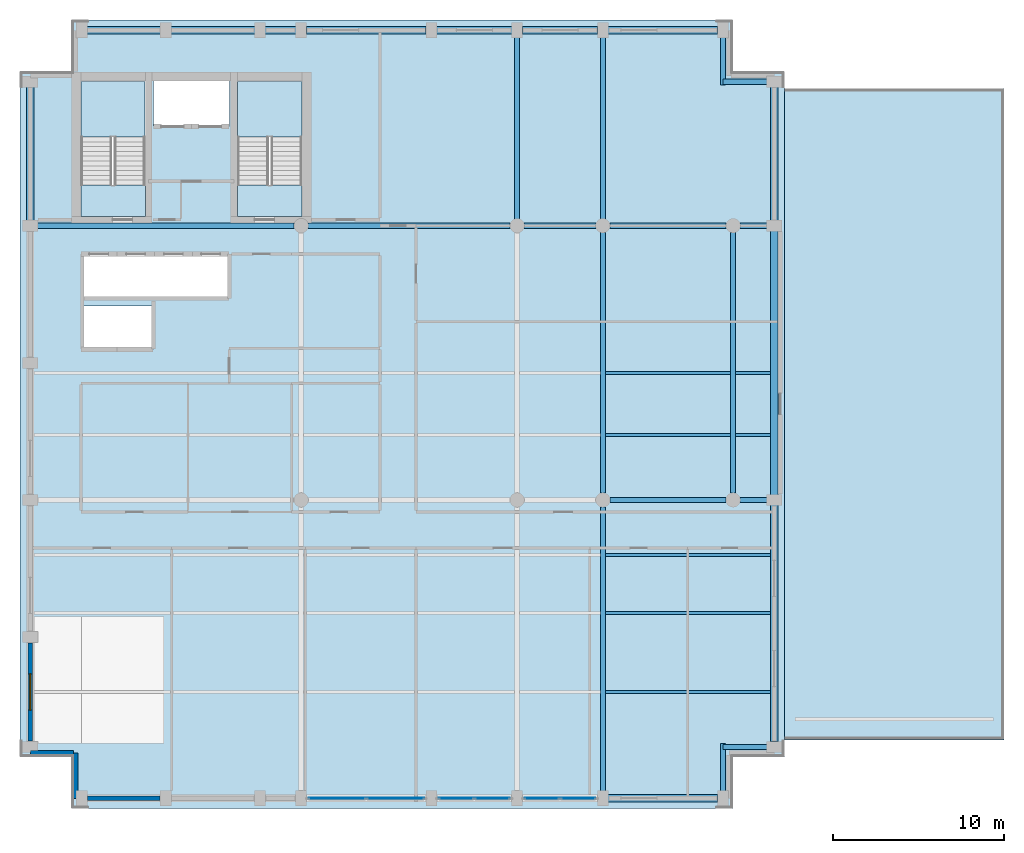
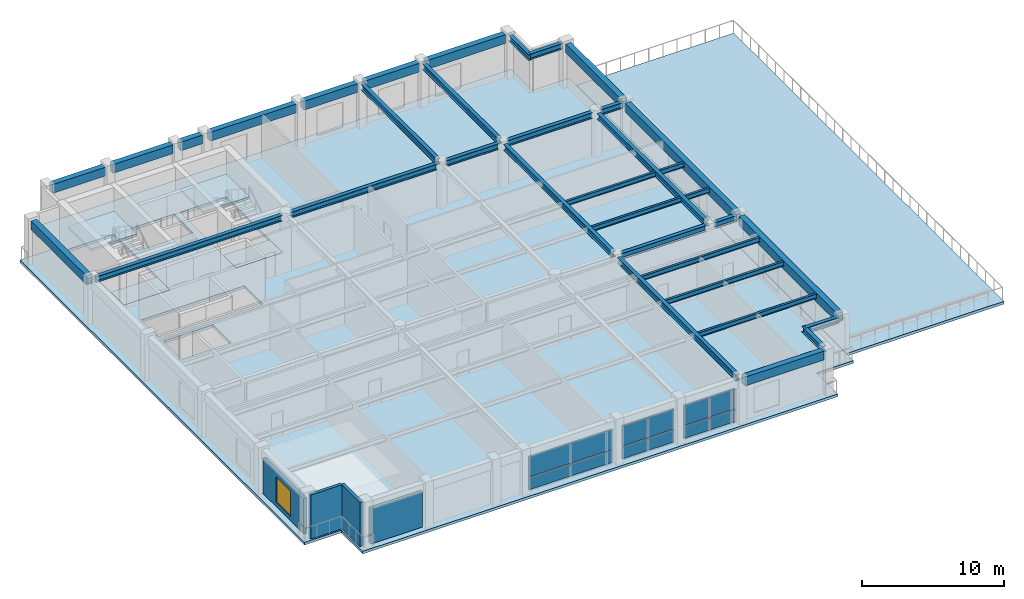
# One storey, part 3 of 9: 35 beams, 12 plates, 6 slabs, 4 walls, 1 window, 1 opening, 5 elements without a shape of their own.
"""IFC4 building model written with IfcOpenShell, lengths in metres."""

from ifc_helpers import new_model, si_unit, direction, frame, frame_2d, origin, origin_2d, place, context, subcontext, project, spatial, polyline, rectangle, i_section, outline, extrude, material, layer, layer_set, material_profile, profile_set, type_object, element, fill, aggregate, save


model = new_model("IFC4")

# Units and contexts
model_context = context("Model", 3, precision=1e-05, world=origin(), true_north=direction((0.0, 1.0)))
body_context = subcontext(model_context, "Body", "Model", "MODEL_VIEW")
ifc_project = project(units=[si_unit("LENGTHUNIT", "METRE"), si_unit("AREAUNIT", "SQUARE_METRE"), si_unit("VOLUMEUNIT", "CUBIC_METRE"), si_unit("PLANEANGLEUNIT", "RADIAN"), si_unit("MASSUNIT", "GRAM", prefix="KILO")], contexts=[model_context])

# Site, building, storey
site_placement = place(None, origin())
site = spatial("IfcSite", under=ifc_project, at=site_placement, CompositionType="ELEMENT")
building_placement = place(site_placement, origin())
building = spatial("IfcBuilding", under=site, at=building_placement, Name="Sulina Concourse Tower", CompositionType="ELEMENT")
storey_placement = place(building_placement, frame((0.0, 0.0, 289.0)))
storey = spatial("IfcBuildingStorey", under=building, at=storey_placement, Name="L70", CompositionType="ELEMENT", Elevation=289.0)

# Beams
ifc_material_1 = material(Name="Steel S355", Category="steel")
ifc_material_profile_1 = material_profile(ifc_material_1, i_section(OverallWidth=0.300048828125, OverallDepth=0.5, WebThickness=0.014404296875, FlangeThickness=0.028076171875, at=origin_2d()), Name="HE 500 B")
ifc_profile_set_1 = profile_set([ifc_material_profile_1], Name="Steel S355")
beam_type_1 = type_object("IfcBeamType", Name="Crown & Canopy Primary Girder HE500B", PredefinedType="BEAM", material=ifc_profile_set_1)
for number, where, z_axis, x_axis, name in (
    (1, (41.0, 3.60009765625, 3.52490234375), (1.0, 0.0, 0.0), (0.0, 1.0, 0.0), "TIE-SE-L70"),
    (2, (41.0, 42.39990234375, 3.52490234375), (1.0, 0.0, 0.0), (0.0, 1.0, 0.0), "TIE-NE-L70"),
):
    element("IfcBeam", number, at=place(storey_placement, frame(where, z_axis=z_axis, x_axis=x_axis)), inside=storey, type_object=beam_type_1, Name=name, PredefinedType="BEAM", context=body_context, shape_type="SweptSolid", body=[
        extrude(i_section(OverallWidth=0.300048828125, OverallDepth=0.5, WebThickness=0.014404296875, FlangeThickness=0.028076171875, at=origin_2d()), origin(), (0.0, 0.0, 1.0), 2.695068359375),
    ])
for number, where, z_axis, x_axis, name in (
    (3, (41.0, 0.905029296875, 3.52490234375), (0.0, 1.0, 0.0), (-1.0, 0.0, 0.0), "TIE-SES-L70"),
    (4, (41.0, 42.199951171875, 3.52490234375), (0.0, 1.0, 0.0), (-1.0, 0.0, 0.0), "TIE-NEN-L70"),
):
    element("IfcBeam", number, at=place(storey_placement, frame(where, z_axis=z_axis, x_axis=x_axis)), inside=storey, type_object=beam_type_1, Name=name, PredefinedType="BEAM", context=body_context, shape_type="SweptSolid", body=[
        extrude(i_section(OverallWidth=0.300048828125, OverallDepth=0.5, WebThickness=0.014404296875, FlangeThickness=0.028076171875, at=origin_2d()), origin(), (0.0, 0.0, 1.0), 2.89501953125),
    ])
beam_1_placement = place(storey_placement, frame((34.405029296875, 18.0, 3.52490234375), z_axis=(1.0, 0.0, 0.0), x_axis=(0.0, 1.0, 0.0)))
element("IfcBeam", 5, at=beam_1_placement, inside=storey, type_object=beam_type_1, Name="FG-EW4-L70", PredefinedType="BEAM", context=body_context, shape_type="SweptSolid", body=[
    extrude(i_section(OverallWidth=0.300048828125, OverallDepth=0.5, WebThickness=0.014404296875, FlangeThickness=0.028076171875, at=origin_2d()), origin(), (0.0, 0.0, 1.0), 6.7900390625),
])
beam_2_placement = place(storey_placement, frame((42.0048828125, 18.0, 3.52490234375), z_axis=(1.0, 0.0, 0.0), x_axis=(0.0, 1.0, 0.0)))
element("IfcBeam", 6, at=beam_2_placement, inside=storey, type_object=beam_type_1, Name="FG-EW5-L70", PredefinedType="BEAM", context=body_context, shape_type="SweptSolid", body=[
    extrude(i_section(OverallWidth=0.300048828125, OverallDepth=0.5, WebThickness=0.014404296875, FlangeThickness=0.028076171875, at=origin_2d()), origin(), (0.0, 0.0, 1.0), 1.690185546875),
])
beam_3_placement = place(storey_placement, frame((0.905029296875, 34.0, 3.52490234375), z_axis=(1.0, 0.0, 0.0), x_axis=(0.0, 1.0, 0.0)))
element("IfcBeam", 7, at=beam_3_placement, inside=storey, type_object=beam_type_1, Name="FG-EWN1-L70", PredefinedType="BEAM", context=body_context, shape_type="SweptSolid", body=[
    extrude(i_section(OverallWidth=0.300048828125, OverallDepth=0.5, WebThickness=0.014404296875, FlangeThickness=0.028076171875, at=origin_2d()), origin(), (0.0, 0.0, 1.0), 15.090087890625),
])
beam_4_placement = place(storey_placement, frame((16.804931640625, 34.0, 3.52490234375), z_axis=(1.0, 0.0, 0.0), x_axis=(0.0, 1.0, 0.0)))
element("IfcBeam", 8, at=beam_4_placement, inside=storey, type_object=beam_type_1, Name="FG-EWN2-L70", PredefinedType="BEAM", context=body_context, shape_type="SweptSolid", body=[
    extrude(i_section(OverallWidth=0.300048828125, OverallDepth=0.5, WebThickness=0.014404296875, FlangeThickness=0.028076171875, at=origin_2d()), origin(), (0.0, 0.0, 1.0), 11.7900390625),
])
beam_5_placement = place(storey_placement, frame((29.405029296875, 34.0, 3.52490234375), z_axis=(1.0, 0.0, 0.0), x_axis=(0.0, 1.0, 0.0)))
element("IfcBeam", 9, at=beam_5_placement, inside=storey, type_object=beam_type_1, Name="FG-EWN3-L70", PredefinedType="BEAM", context=body_context, shape_type="SweptSolid", body=[
    extrude(i_section(OverallWidth=0.300048828125, OverallDepth=0.5, WebThickness=0.014404296875, FlangeThickness=0.028076171875, at=origin_2d()), origin(), (0.0, 0.0, 1.0), 4.18994140625),
])
beam_6_placement = place(storey_placement, frame((34.405029296875, 34.0, 3.52490234375), z_axis=(1.0, 0.0, 0.0), x_axis=(0.0, 1.0, 0.0)))
element("IfcBeam", 10, at=beam_6_placement, inside=storey, type_object=beam_type_1, Name="FG-EWN4-L70", PredefinedType="BEAM", context=body_context, shape_type="SweptSolid", body=[
    extrude(i_section(OverallWidth=0.300048828125, OverallDepth=0.5, WebThickness=0.014404296875, FlangeThickness=0.028076171875, at=origin_2d()), origin(), (0.0, 0.0, 1.0), 6.7900390625),
])
beam_7_placement = place(storey_placement, frame((42.0048828125, 34.0, 3.52490234375), z_axis=(1.0, 0.0, 0.0), x_axis=(0.0, 1.0, 0.0)))
element("IfcBeam", 11, at=beam_7_placement, inside=storey, type_object=beam_type_1, Name="FG-EWN5-L70", PredefinedType="BEAM", context=body_context, shape_type="SweptSolid", body=[
    extrude(i_section(OverallWidth=0.300048828125, OverallDepth=0.5, WebThickness=0.014404296875, FlangeThickness=0.028076171875, at=origin_2d()), origin(), (0.0, 0.0, 1.0), 1.690185546875),
])
beam_8_placement = place(storey_placement, frame((29.0, 34.405029296875, 3.52490234375), z_axis=(0.0, 1.0, 0.0), x_axis=(-1.0, 0.0, 0.0)))
element("IfcBeam", 12, at=beam_8_placement, inside=storey, type_object=beam_type_1, Name="FG-NSC-29-L70", PredefinedType="BEAM", context=body_context, shape_type="SweptSolid", body=[
    extrude(i_section(OverallWidth=0.300048828125, OverallDepth=0.5, WebThickness=0.014404296875, FlangeThickness=0.028076171875, at=origin_2d()), origin(), (0.0, 0.0, 1.0), 10.68994140625),
])
beam_9_placement = place(storey_placement, frame((34.0, 0.905029296875, 3.52490234375), z_axis=(0.0, 1.0, 0.0), x_axis=(-1.0, 0.0, 0.0)))
element("IfcBeam", 13, at=beam_9_placement, inside=storey, type_object=beam_type_1, Name="FG-NSA-34-L70", PredefinedType="BEAM", context=body_context, shape_type="SweptSolid", body=[
    extrude(i_section(OverallWidth=0.300048828125, OverallDepth=0.5, WebThickness=0.014404296875, FlangeThickness=0.028076171875, at=origin_2d()), origin(), (0.0, 0.0, 1.0), 16.68994140625),
])
beam_10_placement = place(storey_placement, frame((34.0, 18.405029296875, 3.52490234375), z_axis=(0.0, 1.0, 0.0), x_axis=(-1.0, 0.0, 0.0)))
element("IfcBeam", 14, at=beam_10_placement, inside=storey, type_object=beam_type_1, Name="FG-NSB-34-L70", PredefinedType="BEAM", context=body_context, shape_type="SweptSolid", body=[
    extrude(i_section(OverallWidth=0.300048828125, OverallDepth=0.5, WebThickness=0.014404296875, FlangeThickness=0.028076171875, at=origin_2d()), origin(), (0.0, 0.0, 1.0), 15.18994140625),
])
beam_11_placement = place(storey_placement, frame((34.0, 34.405029296875, 3.52490234375), z_axis=(0.0, 1.0, 0.0), x_axis=(-1.0, 0.0, 0.0)))
element("IfcBeam", 15, at=beam_11_placement, inside=storey, type_object=beam_type_1, Name="FG-NSC-34-L70", PredefinedType="BEAM", context=body_context, shape_type="SweptSolid", body=[
    extrude(i_section(OverallWidth=0.300048828125, OverallDepth=0.5, WebThickness=0.014404296875, FlangeThickness=0.028076171875, at=origin_2d()), origin(), (0.0, 0.0, 1.0), 10.68994140625),
])
beam_12_placement = place(storey_placement, frame((41.60009765625, 18.405029296875, 3.52490234375), z_axis=(0.0, 1.0, 0.0), x_axis=(-1.0, 0.0, 0.0)))
element("IfcBeam", 16, at=beam_12_placement, inside=storey, type_object=beam_type_1, Name="FG-NSB-41-L70", PredefinedType="BEAM", context=body_context, shape_type="SweptSolid", body=[
    extrude(i_section(OverallWidth=0.300048828125, OverallDepth=0.5, WebThickness=0.014404296875, FlangeThickness=0.028076171875, at=origin_2d()), origin(), (0.0, 0.0, 1.0), 15.18994140625),
])
ifc_material_2 = material(Name="Steel S355", Category="steel")
ifc_material_profile_2 = material_profile(ifc_material_2, i_section(OverallWidth=0.179931640625, OverallDepth=0.39990234375, WebThickness=0.008544921875, FlangeThickness=0.013427734375, at=origin_2d()), Name="IPE 400")
ifc_profile_set_2 = profile_set([ifc_material_profile_2], Name="Steel S355")
beam_type_2 = type_object("IfcBeamType", Name="Crown & Terrace Joist IPE400", PredefinedType="JOIST", material=ifc_profile_set_2)
for number, where, z_axis, x_axis, name in (
    (17, (34.14990234375, 6.800048828125, 3.574951171875), (1.0, 0.0, 0.0), (0.0, 1.0, 0.0), "FJ-J06-4-L70"),
    (18, (34.14990234375, 11.39990234375, 3.574951171875), (1.0, 0.0, 0.0), (0.0, 1.0, 0.0), "FJ-J11-4-L70"),
    (19, (34.14990234375, 14.800048828125, 3.574951171875), (1.0, 0.0, 0.0), (0.0, 1.0, 0.0), "FJ-J15-4-L70"),
):
    element("IfcBeam", number, at=place(storey_placement, frame(where, z_axis=z_axis, x_axis=x_axis)), inside=storey, type_object=beam_type_2, Name=name, PredefinedType="JOIST", context=body_context, shape_type="SweptSolid", body=[
        extrude(i_section(OverallWidth=0.179931640625, OverallDepth=0.39990234375, WebThickness=0.008544921875, FlangeThickness=0.013427734375, at=origin_2d()), origin(), (0.0, 0.0, 1.0), 9.625),
    ])
beam_13_placement = place(storey_placement, frame((34.14990234375, 21.800048828125, 3.574951171875), z_axis=(1.0, 0.0, 0.0), x_axis=(0.0, 1.0, 0.0)))
element("IfcBeam", 20, at=beam_13_placement, inside=storey, type_object=beam_type_2, Name="FJ-J22-4-L70", PredefinedType="JOIST", context=body_context, shape_type="SweptSolid", body=[
    extrude(i_section(OverallWidth=0.179931640625, OverallDepth=0.39990234375, WebThickness=0.008544921875, FlangeThickness=0.013427734375, at=origin_2d()), origin(), (0.0, 0.0, 1.0), 7.300048828125),
])
beam_14_placement = place(storey_placement, frame((41.75, 21.800048828125, 3.574951171875), z_axis=(1.0, 0.0, 0.0), x_axis=(0.0, 1.0, 0.0)))
element("IfcBeam", 21, at=beam_14_placement, inside=storey, type_object=beam_type_2, Name="FJ-J22-5-L70", PredefinedType="JOIST", context=body_context, shape_type="SweptSolid", body=[
    extrude(i_section(OverallWidth=0.179931640625, OverallDepth=0.39990234375, WebThickness=0.008544921875, FlangeThickness=0.013427734375, at=origin_2d()), origin(), (0.0, 0.0, 1.0), 2.02490234375),
])
beam_15_placement = place(storey_placement, frame((34.14990234375, 25.39990234375, 3.574951171875), z_axis=(1.0, 0.0, 0.0), x_axis=(0.0, 1.0, 0.0)))
element("IfcBeam", 22, at=beam_15_placement, inside=storey, type_object=beam_type_2, Name="FJ-J25-4-L70", PredefinedType="JOIST", context=body_context, shape_type="SweptSolid", body=[
    extrude(i_section(OverallWidth=0.179931640625, OverallDepth=0.39990234375, WebThickness=0.008544921875, FlangeThickness=0.013427734375, at=origin_2d()), origin(), (0.0, 0.0, 1.0), 7.300048828125),
])
beam_16_placement = place(storey_placement, frame((41.75, 25.39990234375, 3.574951171875), z_axis=(1.0, 0.0, 0.0), x_axis=(0.0, 1.0, 0.0)))
element("IfcBeam", 23, at=beam_16_placement, inside=storey, type_object=beam_type_2, Name="FJ-J25-5-L70", PredefinedType="JOIST", context=body_context, shape_type="SweptSolid", body=[
    extrude(i_section(OverallWidth=0.179931640625, OverallDepth=0.39990234375, WebThickness=0.008544921875, FlangeThickness=0.013427734375, at=origin_2d()), origin(), (0.0, 0.0, 1.0), 2.02490234375),
])
ifc_material_3 = material(Name="Precast concrete C50/60", Category="concrete")
ifc_material_profile_3 = material_profile(ifc_material_3, rectangle(XDim=0.449951171875, YDim=0.75, at=origin_2d()), Name="RC 450x750")
ifc_profile_set_3 = profile_set([ifc_material_profile_3], Name="Precast concrete C50/60")
beam_type_3 = type_object("IfcBeamType", Name="Upper Precast Spandrel Edge Beam 450x750", PredefinedType="BEAM", material=ifc_profile_set_3)
beam_17_placement = place(storey_placement, frame((34.304931640625, 0.60009765625, 3.39990234375), z_axis=(1.0, 0.0, 0.0), x_axis=(0.0, 1.0, 0.0)))
element("IfcBeam", 24, at=beam_17_placement, inside=storey, type_object=beam_type_3, Name="SP-S7-L70", PredefinedType="BEAM", context=body_context, shape_type="SweptSolid", body=[
    extrude(rectangle(XDim=0.449951171875, YDim=0.75, at=origin_2d()), origin(), (0.0, 0.0, 1.0), 6.39013671875),
])
beam_18_placement = place(storey_placement, frame((3.905029296875, 45.39990234375, 3.39990234375), z_axis=(1.0, 0.0, 0.0), x_axis=(0.0, 1.0, 0.0)))
element("IfcBeam", 25, at=beam_18_placement, inside=storey, type_object=beam_type_3, Name="SP-N1-L70", PredefinedType="BEAM", context=body_context, shape_type="SweptSolid", body=[
    extrude(rectangle(XDim=0.449951171875, YDim=0.75, at=origin_2d()), origin(), (0.0, 0.0, 1.0), 4.2900390625),
])
beam_19_placement = place(storey_placement, frame((8.804931640625, 45.39990234375, 3.39990234375), z_axis=(1.0, 0.0, 0.0), x_axis=(0.0, 1.0, 0.0)))
element("IfcBeam", 26, at=beam_19_placement, inside=storey, type_object=beam_type_3, Name="SP-N2-L70", PredefinedType="BEAM", context=body_context, shape_type="SweptSolid", body=[
    extrude(rectangle(XDim=0.449951171875, YDim=0.75, at=origin_2d()), origin(), (0.0, 0.0, 1.0), 4.89013671875),
])
beam_20_placement = place(storey_placement, frame((14.304931640625, 45.39990234375, 3.39990234375), z_axis=(1.0, 0.0, 0.0), x_axis=(0.0, 1.0, 0.0)))
element("IfcBeam", 27, at=beam_20_placement, inside=storey, type_object=beam_type_3, Name="SP-N3-L70", PredefinedType="BEAM", context=body_context, shape_type="SweptSolid", body=[
    extrude(rectangle(XDim=0.449951171875, YDim=0.75, at=origin_2d()), origin(), (0.0, 0.0, 1.0), 1.7900390625),
])
beam_21_placement = place(storey_placement, frame((16.705078125, 45.39990234375, 3.39990234375), z_axis=(1.0, 0.0, 0.0), x_axis=(0.0, 1.0, 0.0)))
element("IfcBeam", 28, at=beam_21_placement, inside=storey, type_object=beam_type_3, Name="SP-N4-L70", PredefinedType="BEAM", context=body_context, shape_type="SweptSolid", body=[
    extrude(rectangle(XDim=0.449951171875, YDim=0.75, at=origin_2d()), origin(), (0.0, 0.0, 1.0), 6.989990234375),
])
for number, where, z_axis, x_axis, name in (
    (29, (24.304931640625, 45.39990234375, 3.39990234375), (1.0, 0.0, 0.0), (0.0, 1.0, 0.0), "SP-N5-L70"),
    (30, (29.304931640625, 45.39990234375, 3.39990234375), (1.0, 0.0, 0.0), (0.0, 1.0, 0.0), "SP-N6-L70"),
):
    element("IfcBeam", number, at=place(storey_placement, frame(where, z_axis=z_axis, x_axis=x_axis)), inside=storey, type_object=beam_type_3, Name=name, PredefinedType="BEAM", context=body_context, shape_type="SweptSolid", body=[
        extrude(rectangle(XDim=0.449951171875, YDim=0.75, at=origin_2d()), origin(), (0.0, 0.0, 1.0), 4.39013671875),
    ])
beam_22_placement = place(storey_placement, frame((34.304931640625, 45.39990234375, 3.39990234375), z_axis=(1.0, 0.0, 0.0), x_axis=(0.0, 1.0, 0.0)))
element("IfcBeam", 31, at=beam_22_placement, inside=storey, type_object=beam_type_3, Name="SP-N7-L70", PredefinedType="BEAM", context=body_context, shape_type="SweptSolid", body=[
    extrude(rectangle(XDim=0.449951171875, YDim=0.75, at=origin_2d()), origin(), (0.0, 0.0, 1.0), 6.39013671875),
])
beam_23_placement = place(storey_placement, frame((0.60009765625, 34.304931640625, 3.39990234375), z_axis=(0.0, 1.0, 0.0), x_axis=(-1.0, 0.0, 0.0)))
element("IfcBeam", 32, at=beam_23_placement, inside=storey, type_object=beam_type_3, Name="SP-W5-L70", PredefinedType="BEAM", context=body_context, shape_type="SweptSolid", body=[
    extrude(rectangle(XDim=0.449951171875, YDim=0.75, at=origin_2d()), origin(), (0.0, 0.0, 1.0), 7.7900390625),
])
beam_24_placement = place(storey_placement, frame((44.0, 3.905029296875, 3.39990234375), z_axis=(0.0, 1.0, 0.0), x_axis=(-1.0, 0.0, 0.0)))
element("IfcBeam", 33, at=beam_24_placement, inside=storey, type_object=beam_type_3, Name="SP-E1-L70", PredefinedType="BEAM", context=body_context, shape_type="SweptSolid", body=[
    extrude(rectangle(XDim=0.449951171875, YDim=0.75, at=origin_2d()), origin(), (0.0, 0.0, 1.0), 13.7900390625),
])
beam_25_placement = place(storey_placement, frame((44.0, 18.304931640625, 3.39990234375), z_axis=(0.0, 1.0, 0.0), x_axis=(-1.0, 0.0, 0.0)))
element("IfcBeam", 34, at=beam_25_placement, inside=storey, type_object=beam_type_3, Name="SP-E2-L70", PredefinedType="BEAM", context=body_context, shape_type="SweptSolid", body=[
    extrude(rectangle(XDim=0.449951171875, YDim=0.75, at=origin_2d()), origin(), (0.0, 0.0, 1.0), 15.39013671875),
])
beam_26_placement = place(storey_placement, frame((44.0, 34.304931640625, 3.39990234375), z_axis=(0.0, 1.0, 0.0), x_axis=(-1.0, 0.0, 0.0)))
element("IfcBeam", 35, at=beam_26_placement, inside=storey, type_object=beam_type_3, Name="SP-E3-L70", PredefinedType="BEAM", context=body_context, shape_type="SweptSolid", body=[
    extrude(rectangle(XDim=0.449951171875, YDim=0.75, at=origin_2d()), origin(), (0.0, 0.0, 1.0), 7.7900390625),
])

# Slabs
ifc_material_4 = material(Name="Concrete C50/60", Category="concrete")
ifc_layer_1 = layer(ifc_material_4, 0.22509765625)
ifc_layer_set_1 = layer_set([ifc_layer_1], Name="Concrete C50/60")
slab_type_1 = type_object("IfcSlabType", Name="Crown & Observation Floor Slab 225mm", PredefinedType="FLOOR", material=ifc_layer_set_1)
slab_1_placement = place(storey_placement, frame((0.0, 0.0, -0.22509765625)))
element("IfcSlab", 36, at=slab_1_placement, inside=storey, type_object=slab_type_1, Name="L70 structural floor slab", PredefinedType="FLOOR", context=body_context, shape_type="SweptSolid", body=[
    extrude(outline(polyline([(3.0, 0.0), (41.60009765625, 0.0), (41.60009765625, 3.0), (44.60009765625, 3.0), (44.60009765625, 43.0), (41.60009765625, 43.0), (41.60009765625, 46.0), (3.0, 46.0), (3.0, 43.0), (0.0, 43.0), (0.0, 3.0), (3.0, 3.0), (3.0, 0.0)]), holes=[polyline([(7.31005859375, 34.550048828125), (7.31005859375, 42.429931640625), (3.550048828125, 42.429931640625), (3.550048828125, 34.550048828125), (7.31005859375, 34.550048828125)]), polyline([(16.449951171875, 34.550048828125), (16.449951171875, 42.429931640625), (12.68994140625, 42.429931640625), (12.68994140625, 34.550048828125), (16.449951171875, 34.550048828125)]), polyline([(7.780029296875, 39.830078125), (12.219970703125, 39.830078125), (12.219970703125, 42.449951171875), (7.780029296875, 42.449951171875), (7.780029296875, 39.830078125)]), polyline([(3.739990234375, 26.780029296875), (7.77001953125, 26.780029296875), (7.77001953125, 29.320068359375), (3.739990234375, 29.320068359375), (3.739990234375, 26.780029296875)]), polyline([(3.739990234375, 29.780029296875), (12.10009765625, 29.780029296875), (12.10009765625, 32.3701171875), (3.739990234375, 32.3701171875), (3.739990234375, 29.780029296875)])]), origin(), (0.0, 0.0, 1.0), 0.22509765625),
])
ifc_material_5 = material(Name="Precast concrete C50/60", Category="concrete")
ifc_layer_2 = layer(ifc_material_5, 0.235107421875)
ifc_layer_set_2 = layer_set([ifc_layer_2], Name="Precast concrete C50/60")
slab_type_2 = type_object("IfcSlabType", Name="Crown Stepped Terrace & Pool Deck Slab 235mm", PredefinedType="FLOOR", material=ifc_layer_set_2)
slab_2_placement = place(storey_placement, frame((0.0, 0.0, -0.235107421875)))
element("IfcSlab", 37, at=slab_2_placement, inside=storey, type_object=slab_type_2, Name="L70 outdoor terrace slab TER-CR1", PredefinedType="FLOOR", context=body_context, shape_type="SweptSolid", body=[
    extrude(outline(polyline([(44.60009765625, 4.0), (57.39990234375, 4.0), (57.39990234375, 42.0), (44.60009765625, 42.0), (44.60009765625, 4.0)])), origin(), (0.0, 0.0, 1.0), 0.235107421875),
])
ifc_material_6 = material(Name="Concrete C50/60", Category="concrete")
ifc_layer_3 = layer(ifc_material_6, 0.199951171875)
ifc_layer_set_3 = layer_set([ifc_layer_3], Name="Concrete C50/60")
slab_type_3 = type_object("IfcSlabType", Name="Primary Core Stair Landing Slab 200mm", PredefinedType="LANDING", material=ifc_layer_set_3)
slab_3_placement = place(storey_placement, frame((0.0, 0.0, -0.199951171875)))
element("IfcSlab", 38, at=slab_3_placement, inside=storey, type_object=slab_type_3, Name="L70 ST-1 floor landing slab", PredefinedType="LANDING", context=body_context, shape_type="SweptSolid", body=[
    extrude(outline(polyline([(7.31005859375, 34.550048828125), (7.31005859375, 36.375), (3.550048828125, 36.375), (3.550048828125, 34.550048828125), (7.31005859375, 34.550048828125)])), origin(), (0.0, 0.0, 1.0), 0.199951171875),
])
slab_4_placement = place(storey_placement, frame((0.0, 0.0, -0.199951171875)))
element("IfcSlab", 39, at=slab_4_placement, inside=storey, type_object=slab_type_3, Name="L70 ST-2 floor landing slab", PredefinedType="LANDING", context=body_context, shape_type="SweptSolid", body=[
    extrude(outline(polyline([(16.449951171875, 34.550048828125), (16.449951171875, 36.375), (12.68994140625, 36.375), (12.68994140625, 34.550048828125), (16.449951171875, 34.550048828125)])), origin(), (0.0, 0.0, 1.0), 0.199951171875),
])

# Stair, slab
ifc_material_7 = material(Name="Concrete C50/60", Category="concrete")
stair_type = type_object("IfcStairType", Name="Primary Core Dog-Leg Exit Stair 1800mm", PredefinedType="HALF_TURN_STAIR", material=ifc_material_7)
stair_1_placement = place(storey_placement, origin())
stair_1 = element("IfcStair", 40, at=stair_1_placement, inside=storey, type_object=stair_type, Name="L70 ST-1", PredefinedType="HALF_TURN_STAIR")
slab_5_placement = place(storey_placement, frame((0.0, 0.0, 1.800048828125)))
slab_5 = element("IfcSlab", 41, at=slab_5_placement, type_object=slab_type_3, Name="ST-1 landing 1", PredefinedType="LANDING", context=body_context, shape_type="SweptSolid", body=[
    extrude(outline(polyline([(7.304931640625, 39.175048828125), (7.304931640625, 42.425048828125), (3.554931640625, 42.425048828125), (3.554931640625, 39.175048828125), (7.304931640625, 39.175048828125)])), origin(), (0.0, 0.0, 1.0), 0.199951171875),
])
aggregate(stair_1, [slab_5])

stair_2_placement = place(storey_placement, origin())
stair_2 = element("IfcStair", 42, at=stair_2_placement, inside=storey, type_object=stair_type, Name="L70 ST-2", PredefinedType="HALF_TURN_STAIR")
slab_6_placement = place(storey_placement, frame((0.0, 0.0, 1.800048828125)))
slab_6 = element("IfcSlab", 43, at=slab_6_placement, type_object=slab_type_3, Name="ST-2 landing 1", PredefinedType="LANDING", context=body_context, shape_type="SweptSolid", body=[
    extrude(outline(polyline([(16.445068359375, 39.175048828125), (16.445068359375, 42.425048828125), (12.695068359375, 42.425048828125), (12.695068359375, 39.175048828125), (16.445068359375, 39.175048828125)])), origin(), (0.0, 0.0, 1.0), 0.199951171875),
])
aggregate(stair_2, [slab_6])

# Curtain wall, plates
ifc_material_8 = material(Name="Anodised bronze aluminium", Category="aluminium")
ifc_layer_4 = layer(ifc_material_8, 0.27001953125)
ifc_layer_set_4 = layer_set([ifc_layer_4], Name="Anodised bronze aluminium")
curtain_wall_type = type_object("IfcCurtainWallType", Name="Stepped Crown Observation Curtain Wall System", PredefinedType="NOTDEFINED", material=ifc_layer_set_4)
curtain_wall_1_placement = place(storey_placement, origin())
curtain_wall_1 = element("IfcCurtainWall", 44, at=curtain_wall_1_placement, inside=storey, type_object=curtain_wall_type, Name="L70 glazed curtain wall S4", PredefinedType="NOTDEFINED")
ifc_material_9 = material(Name="Ultra-clear observation triple glazing", Category="glass")
ifc_layer_5 = layer(ifc_material_9, 0.0439453125)
ifc_layer_set_5 = layer_set([ifc_layer_5], Name="Ultra-clear observation triple glazing")
plate_type = type_object("IfcPlateType", Name="Stepped Crown Observation Curtain Wall System Glazed Panel 44mm", PredefinedType="CURTAIN_PANEL", material=ifc_layer_set_5)
plate_1_placement = place(storey_placement, frame((21.90625, 0.60009765625, 0.0849609375), z_axis=(0.0, 0.0, 1.0), x_axis=(-1.0, 0.0, 0.0)))
plate_1 = element("IfcPlate", 45, at=plate_1_placement, type_object=plate_type, Name="CW-06 panel 1.1", PredefinedType="CURTAIN_PANEL", context=body_context, shape_type="SweptSolid", body=[
    extrude(rectangle(XDim=3.327392578125, YDim=0.0439453125, at=origin_2d()), origin(), (0.0, 0.0, 1.0), 1.02197265625),
])
plate_2_placement = place(storey_placement, frame((21.90625, 0.60009765625, 1.19189453125), z_axis=(0.0, 0.0, 1.0), x_axis=(-1.0, 0.0, 0.0)))
plate_2 = element("IfcPlate", 46, at=plate_2_placement, type_object=plate_type, Name="CW-06 panel 1.2", PredefinedType="CURTAIN_PANEL", context=body_context, shape_type="SweptSolid", body=[
    extrude(rectangle(XDim=3.327392578125, YDim=0.0439453125, at=origin_2d()), origin(), (0.0, 0.0, 1.0), 1.748046875),
])
plate_3_placement = place(storey_placement, frame((18.49365234375, 0.60009765625, 0.0849609375), z_axis=(0.0, 0.0, 1.0), x_axis=(-1.0, 0.0, 0.0)))
plate_3 = element("IfcPlate", 47, at=plate_3_placement, type_object=plate_type, Name="CW-06 panel 2.1", PredefinedType="CURTAIN_PANEL", context=body_context, shape_type="SweptSolid", body=[
    extrude(rectangle(XDim=3.327392578125, YDim=0.0439453125, at=origin_2d()), origin(), (0.0, 0.0, 1.0), 1.02197265625),
])
plate_4_placement = place(storey_placement, frame((18.49365234375, 0.60009765625, 1.19189453125), z_axis=(0.0, 0.0, 1.0), x_axis=(-1.0, 0.0, 0.0)))
plate_4 = element("IfcPlate", 48, at=plate_4_placement, type_object=plate_type, Name="CW-06 panel 2.2", PredefinedType="CURTAIN_PANEL", context=body_context, shape_type="SweptSolid", body=[
    extrude(rectangle(XDim=3.327392578125, YDim=0.0439453125, at=origin_2d()), origin(), (0.0, 0.0, 1.0), 1.748046875),
])
aggregate(curtain_wall_1, [plate_1, plate_2, plate_3, plate_4])

curtain_wall_2_placement = place(storey_placement, origin())
curtain_wall_2 = element("IfcCurtainWall", 49, at=curtain_wall_2_placement, inside=storey, type_object=curtain_wall_type, Name="L70 glazed curtain wall S5", PredefinedType="NOTDEFINED")
plate_5_placement = place(storey_placement, frame((27.55615234375, 0.60009765625, 0.0849609375), z_axis=(0.0, 0.0, 1.0), x_axis=(-1.0, 0.0, 0.0)))
plate_5 = element("IfcPlate", 50, at=plate_5_placement, type_object=plate_type, Name="CW-06 panel 1.1", PredefinedType="CURTAIN_PANEL", context=body_context, shape_type="SweptSolid", body=[
    extrude(rectangle(XDim=2.027587890625, YDim=0.0439453125, at=origin_2d()), origin(), (0.0, 0.0, 1.0), 1.02197265625),
])
plate_6_placement = place(storey_placement, frame((27.55615234375, 0.60009765625, 1.19189453125), z_axis=(0.0, 0.0, 1.0), x_axis=(-1.0, 0.0, 0.0)))
plate_6 = element("IfcPlate", 51, at=plate_6_placement, type_object=plate_type, Name="CW-06 panel 1.2", PredefinedType="CURTAIN_PANEL", context=body_context, shape_type="SweptSolid", body=[
    extrude(rectangle(XDim=2.027587890625, YDim=0.0439453125, at=origin_2d()), origin(), (0.0, 0.0, 1.0), 1.748046875),
])
plate_7_placement = place(storey_placement, frame((25.44384765625, 0.60009765625, 0.0849609375), z_axis=(0.0, 0.0, 1.0), x_axis=(-1.0, 0.0, 0.0)))
plate_7 = element("IfcPlate", 52, at=plate_7_placement, type_object=plate_type, Name="CW-06 panel 2.1", PredefinedType="CURTAIN_PANEL", context=body_context, shape_type="SweptSolid", body=[
    extrude(rectangle(XDim=2.027587890625, YDim=0.0439453125, at=origin_2d()), origin(), (0.0, 0.0, 1.0), 1.02197265625),
])
plate_8_placement = place(storey_placement, frame((25.44384765625, 0.60009765625, 1.19189453125), z_axis=(0.0, 0.0, 1.0), x_axis=(-1.0, 0.0, 0.0)))
plate_8 = element("IfcPlate", 53, at=plate_8_placement, type_object=plate_type, Name="CW-06 panel 2.2", PredefinedType="CURTAIN_PANEL", context=body_context, shape_type="SweptSolid", body=[
    extrude(rectangle(XDim=2.027587890625, YDim=0.0439453125, at=origin_2d()), origin(), (0.0, 0.0, 1.0), 1.748046875),
])
aggregate(curtain_wall_2, [plate_5, plate_6, plate_7, plate_8])

curtain_wall_3_placement = place(storey_placement, origin())
curtain_wall_3 = element("IfcCurtainWall", 54, at=curtain_wall_3_placement, inside=storey, type_object=curtain_wall_type, Name="L70 glazed curtain wall S6", PredefinedType="NOTDEFINED")
plate_9_placement = place(storey_placement, frame((32.55615234375, 0.60009765625, 0.0849609375), z_axis=(0.0, 0.0, 1.0), x_axis=(-1.0, 0.0, 0.0)))
plate_9 = element("IfcPlate", 55, at=plate_9_placement, type_object=plate_type, Name="CW-06 panel 1.1", PredefinedType="CURTAIN_PANEL", context=body_context, shape_type="SweptSolid", body=[
    extrude(rectangle(XDim=2.027587890625, YDim=0.0439453125, at=origin_2d()), origin(), (0.0, 0.0, 1.0), 1.02197265625),
])
plate_10_placement = place(storey_placement, frame((32.55615234375, 0.60009765625, 1.19189453125), z_axis=(0.0, 0.0, 1.0), x_axis=(-1.0, 0.0, 0.0)))
plate_10 = element("IfcPlate", 56, at=plate_10_placement, type_object=plate_type, Name="CW-06 panel 1.2", PredefinedType="CURTAIN_PANEL", context=body_context, shape_type="SweptSolid", body=[
    extrude(rectangle(XDim=2.027587890625, YDim=0.0439453125, at=origin_2d()), origin(), (0.0, 0.0, 1.0), 1.748046875),
])
plate_11_placement = place(storey_placement, frame((30.44384765625, 0.60009765625, 0.0849609375), z_axis=(0.0, 0.0, 1.0), x_axis=(-1.0, 0.0, 0.0)))
plate_11 = element("IfcPlate", 57, at=plate_11_placement, type_object=plate_type, Name="CW-06 panel 2.1", PredefinedType="CURTAIN_PANEL", context=body_context, shape_type="SweptSolid", body=[
    extrude(rectangle(XDim=2.027587890625, YDim=0.0439453125, at=origin_2d()), origin(), (0.0, 0.0, 1.0), 1.02197265625),
])
plate_12_placement = place(storey_placement, frame((30.44384765625, 0.60009765625, 1.19189453125), z_axis=(0.0, 0.0, 1.0), x_axis=(-1.0, 0.0, 0.0)))
plate_12 = element("IfcPlate", 58, at=plate_12_placement, type_object=plate_type, Name="CW-06 panel 2.2", PredefinedType="CURTAIN_PANEL", context=body_context, shape_type="SweptSolid", body=[
    extrude(rectangle(XDim=2.027587890625, YDim=0.0439453125, at=origin_2d()), origin(), (0.0, 0.0, 1.0), 1.748046875),
])
aggregate(curtain_wall_3, [plate_9, plate_10, plate_11, plate_12])

# Wall
ifc_material_10 = material(Name="Precast concrete C50/60", Category="concrete")
ifc_layer_6 = layer(ifc_material_10, 0.239990234375)
ifc_layer_set_6 = layer_set([ifc_layer_6], Name="Precast concrete C50/60")
wall_type = type_object("IfcWallType", Name="Crown Precast Masonry-Frame Facade Wall 240mm", PredefinedType="SOLIDWALL", material=ifc_layer_set_6)
wall_1_placement = place(storey_placement, frame((8.155029296875, 0.60009765625, 0.0), z_axis=(0.0, 0.0, 1.0), x_axis=(-1.0, 0.0, 0.0)))
element("IfcWall", 59, at=wall_1_placement, inside=storey, type_object=wall_type, Name="L70 exterior precast wall S1", PredefinedType="SOLIDWALL", context=body_context, shape_type="SweptSolid", body=[
    extrude(rectangle(XDim=4.2099609375, YDim=0.239990234375, at=frame_2d((2.10498046875, 0.0))), origin(), (0.0, 0.0, 1.0), 3.02490234375),
])

# Wall, opening, window
wall_2_placement = place(storey_placement, frame((0.60009765625, 3.945068359375, 0.0), z_axis=(0.0, 0.0, 1.0), x_axis=(0.0, 1.0, 0.0)))
wall_2 = element("IfcWall", 60, at=wall_2_placement, inside=storey, type_object=wall_type, Name="L70 exterior precast wall W1", PredefinedType="SOLIDWALL", context=body_context, shape_type="SweptSolid", body=[
    extrude(rectangle(XDim=5.7099609375, YDim=0.239990234375, at=frame_2d((2.85498046875, 0.0))), origin(), (0.0, 0.0, 1.0), 3.02490234375),
])
opening_placement = place(wall_2_placement, frame((1.804931640625, 0.0, 0.35009765625)))
opening = element("IfcOpeningElement", 61, at=opening_placement, cuts=wall_2, Name="Opening WN-33", PredefinedType="OPENING", context=body_context, shape_type="SweptSolid", body=[
    extrude(rectangle(XDim=2.10009765625, YDim=2.199951171875, at=frame_2d((1.050048828125, 1.10009765625))), frame((0.0, 0.1298828125, 0.0), z_axis=(0.0, -1.0, 0.0), x_axis=(1.0, 0.0, 0.0)), (0.0, 0.0, 1.0), 0.260009765625),
])
ifc_material_11 = material(Name="Low-E solar double glazing in bronze aluminium", Category="aluminium")
window_type = type_object("IfcWindowType", Name="Punched Masonry-Frame Window 2100x2200", PartitioningType="DOUBLE_PANEL_VERTICAL", PredefinedType="WINDOW", material=ifc_material_11)
window_placement = place(opening_placement, origin())
window = element("IfcWindow", 62, at=window_placement, inside=storey, type_object=window_type, Name="L70 punched window W1-1", OverallHeight=2.199951171875, OverallWidth=2.10009765625, PartitioningType="SINGLE_PANEL", PredefinedType="WINDOW", context=body_context, shape_type="SweptSolid", body=[
    extrude(rectangle(XDim=2.10009765625, YDim=2.199951171875, at=frame_2d((1.050048828125, 1.10009765625))), frame((0.0, 0.030029296875, 0.0), z_axis=(0.0, -1.0, 0.0), x_axis=(1.0, 0.0, 0.0)), (0.0, 0.0, 1.0), 0.06005859375),
])
fill(opening, window)

# Walls
wall_3_placement = place(storey_placement, frame((3.2548828125, 0.60009765625, 0.0), z_axis=(0.0, 0.0, 1.0), x_axis=(0.0, 1.0, 0.0)))
element("IfcWall", 63, at=wall_3_placement, inside=storey, type_object=wall_type, Name="L70 exterior precast wall CSW1", PredefinedType="SOLIDWALL", context=body_context, shape_type="SweptSolid", body=[
    extrude(rectangle(XDim=2.65478515625, YDim=0.239990234375, at=frame_2d((1.327392578125, 0.0))), origin(), (0.0, 0.0, 1.0), 3.77490234375),
])
wall_4_placement = place(storey_placement, frame((3.1298828125, 3.2548828125, 0.0), z_axis=(0.0, 0.0, 1.0), x_axis=(-1.0, 0.0, 0.0)))
element("IfcWall", 64, at=wall_4_placement, inside=storey, type_object=wall_type, Name="L70 exterior precast wall CSW2", PredefinedType="SOLIDWALL", context=body_context, shape_type="SweptSolid", body=[
    extrude(rectangle(XDim=2.52978515625, YDim=0.239990234375, at=frame_2d((1.264892578125, 0.0))), origin(), (0.0, 0.0, 1.0), 3.77490234375),
])

save(model, "model.ifc")
